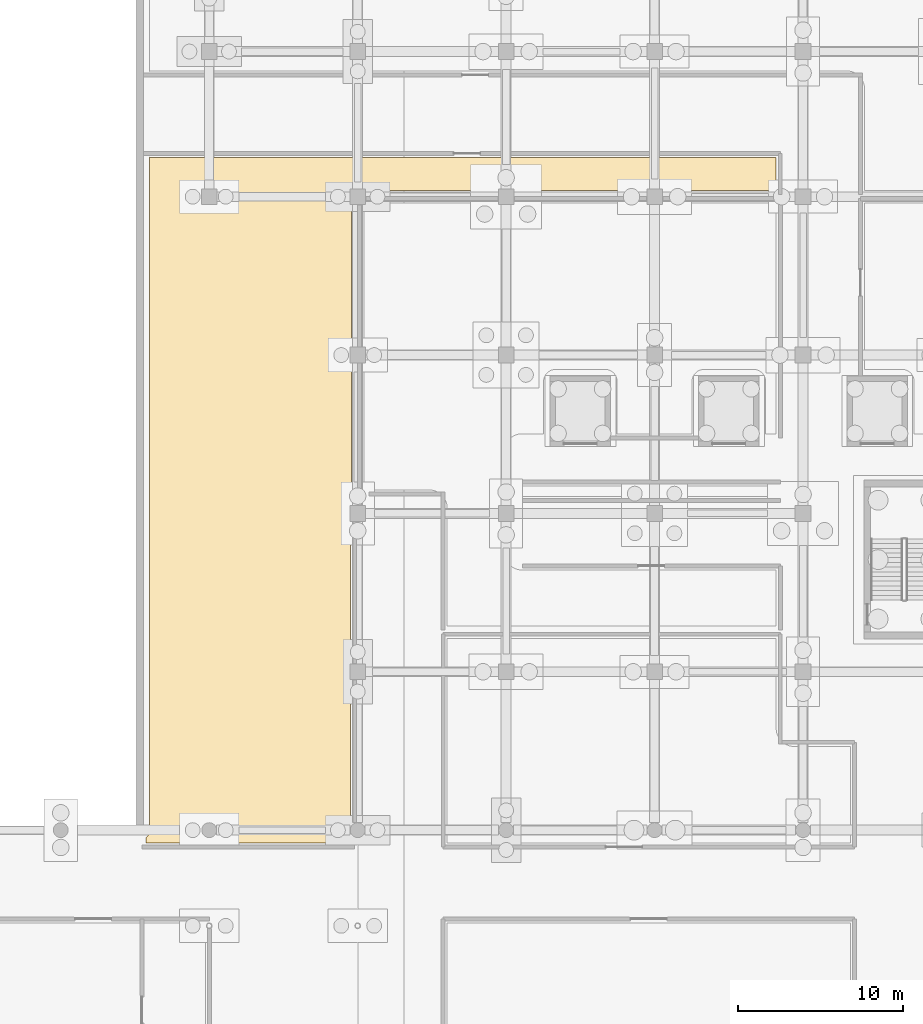
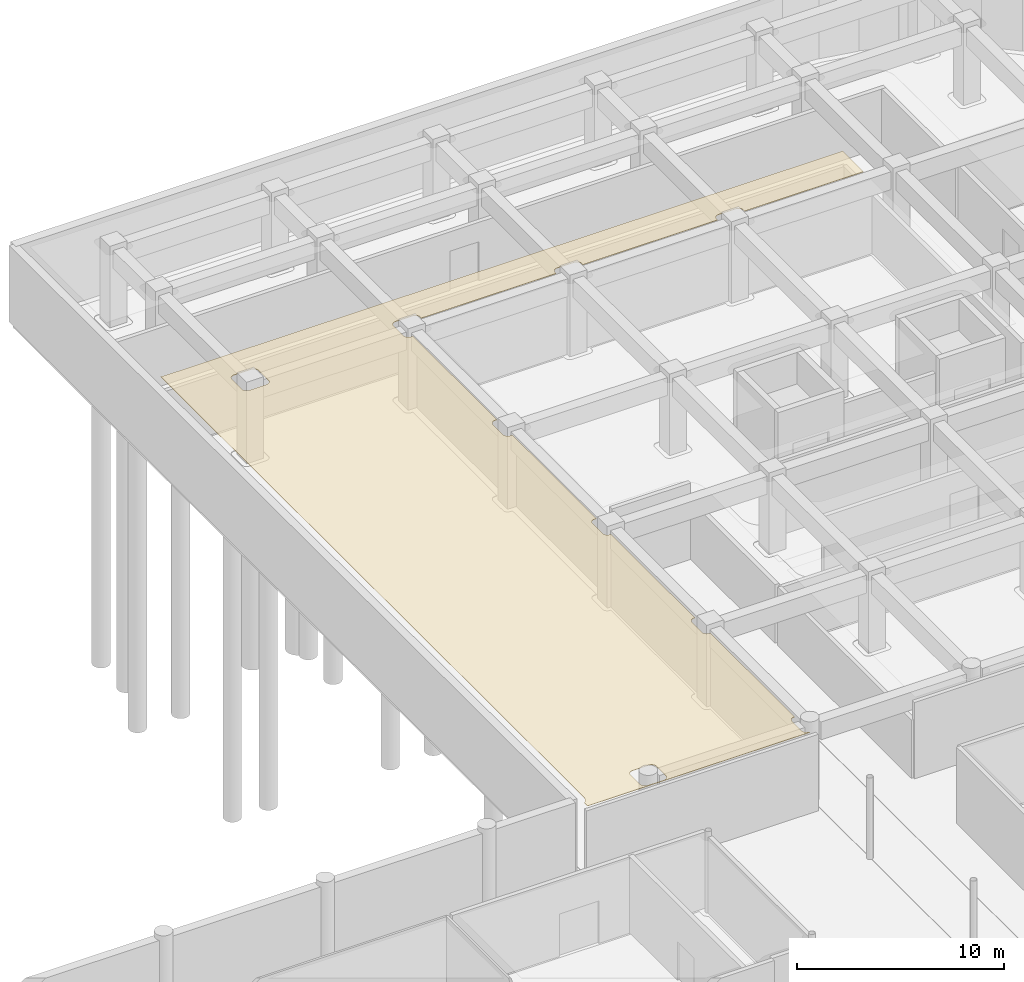
# One storey, part 42 of 47: 1 covering.
"""IFC4 building model written with IfcOpenShell, lengths in metres."""

from ifc_helpers import new_model, si_unit, direction, frame, origin, place, context, subcontext, project, spatial, polyline, outline, extrude, material, layer, layer_set, type_object, element, save


model = new_model("IFC4")

# Units and contexts
model_context = context("Model", 3, precision=1e-05, world=origin(), true_north=direction((0.0, 1.0)))
body_context = subcontext(model_context, "Body", "Model", "MODEL_VIEW")
ifc_project = project(units=[si_unit("LENGTHUNIT", "METRE"), si_unit("AREAUNIT", "SQUARE_METRE"), si_unit("VOLUMEUNIT", "CUBIC_METRE"), si_unit("PLANEANGLEUNIT", "RADIAN"), si_unit("MASSUNIT", "GRAM", prefix="KILO")], contexts=[model_context])

# Site, building, storey
site_placement = place(None, origin())
site = spatial("IfcSite", under=ifc_project, at=site_placement, CompositionType="ELEMENT")
building_placement = place(site_placement, origin())
building = spatial("IfcBuilding", under=site, at=building_placement, Name="Cendralis Terraced Arcade", CompositionType="ELEMENT")
storey_placement = place(building_placement, frame((0.0, 0.0, -4.800048828125)))
storey = spatial("IfcBuildingStorey", under=building, at=storey_placement, Name="B1", CompositionType="ELEMENT", Elevation=-4.800048828125)

# Covering
ifc_material = material(Name="Gypsum plasterboard acoustic partition")
ifc_layer = layer(ifc_material, 0.02490234375, Name="COV-CEIL-ACOU-25")
ifc_layer_set = layer_set([ifc_layer], Name="Gypsum plasterboard acoustic partition")
covering_type = type_object("IfcCoveringType", Name="COV-CEIL-ACOU-25", PredefinedType="CEILING", material=ifc_layer_set)
covering_placement = place(storey_placement, frame((0.0, 0.0, 4.47509765625)))
element("IfcCovering", 1, at=covering_placement, inside=storey, type_object=covering_type, Name="Acoustic Soffit Ceiling B1-022", PredefinedType="CEILING", context=body_context, shape_type="SweptSolid", body=[
    extrude(outline(polyline([(108.37890625, 59.5478515625), (108.387939453125, 59.555908203125), (108.404052734375, 59.5703125), (108.412841796875, 59.57861328125), (108.42138671875, 59.587158203125), (108.4296875, 59.595947265625), (108.444091796875, 59.612060546875), (108.4521484375, 59.62109375), (108.459716796875, 59.63037109375), (108.46728515625, 59.639892578125), (108.47998046875, 59.657470703125), (108.4873046875, 59.66748046875), (108.49365234375, 59.67724609375), (108.500244140625, 59.6875), (108.511474609375, 59.7060546875), (108.517333984375, 59.716796875), (108.52294921875, 59.72705078125), (108.528564453125, 59.738037109375), (108.53759765625, 59.757568359375), (108.542724609375, 59.768798828125), (108.547119140625, 59.77978515625), (108.551513671875, 59.791259765625), (108.558837890625, 59.8115234375), (108.562744140625, 59.822998046875), (108.566162109375, 59.83447265625), (108.5693359375, 59.84619140625), (108.57470703125, 59.8671875), (108.577392578125, 59.879150390625), (108.57958984375, 59.890625), (108.581787109375, 59.90283203125), (108.5849609375, 59.924072265625), (108.58642578125, 59.936279296875), (108.587646484375, 59.947998046875), (108.58837890625, 59.960205078125), (108.589599609375, 59.981689453125), (108.58984375, 59.988037109375), (108.58984375, 59.993896484375), (108.590087890625, 60.0), (108.590087890625, 100.799072265625), (108.60009765625, 100.796630859375), (108.60595703125, 100.795166015625), (108.61181640625, 100.7939453125), (108.61767578125, 100.79248046875), (108.62939453125, 100.790283203125), (108.63525390625, 100.789306640625), (108.64111328125, 100.7880859375), (108.647216796875, 100.787109375), (108.707275390625, 100.7783203125), (108.71337890625, 100.777587890625), (108.71923828125, 100.776611328125), (108.725341796875, 100.776123046875), (108.737060546875, 100.77490234375), (108.7431640625, 100.7744140625), (108.7490234375, 100.77392578125), (108.755126953125, 100.773681640625), (108.81591796875, 100.7705078125), (108.819091796875, 100.7705078125), (108.822021484375, 100.7705078125), (108.824951171875, 100.770263671875), (108.830810546875, 100.77001953125), (108.833984375, 100.77001953125), (108.8369140625, 100.77001953125), (108.840087890625, 100.77001953125), (146.570068359375, 100.77001953125), (146.570068359375, 98.77001953125), (139.945068359375, 98.77001953125), (139.945068359375, 98.875), (139.944580078125, 98.88720703125), (139.944580078125, 98.88916015625), (139.942138671875, 98.91357421875), (139.94189453125, 98.91552734375), (139.93701171875, 98.939697265625), (139.9365234375, 98.941650390625), (139.929443359375, 98.965087890625), (139.928955078125, 98.966796875), (139.91943359375, 98.989501953125), (139.918701171875, 98.9912109375), (139.906982421875, 99.012939453125), (139.906005859375, 99.0146484375), (139.892333984375, 99.034912109375), (139.891357421875, 99.03662109375), (139.875732421875, 99.0556640625), (139.87451171875, 99.056884765625), (139.85693359375, 99.074462890625), (139.855712890625, 99.07568359375), (139.836669921875, 99.09130859375), (139.8349609375, 99.09228515625), (139.814697265625, 99.106201171875), (139.81298828125, 99.107177734375), (139.791259765625, 99.11865234375), (139.78955078125, 99.119384765625), (139.766845703125, 99.12890625), (139.764892578125, 99.12939453125), (139.74169921875, 99.13671875), (139.739501953125, 99.13720703125), (139.715576171875, 99.141845703125), (139.713623046875, 99.14208984375), (139.689208984375, 99.14453125), (139.687255859375, 99.144775390625), (139.675048828125, 99.14501953125), (138.72509765625, 99.14501953125), (138.712646484375, 99.144775390625), (138.710693359375, 99.14453125), (138.686279296875, 99.14208984375), (138.684326171875, 99.141845703125), (138.660400390625, 99.13720703125), (138.658447265625, 99.13671875), (138.635009765625, 99.12939453125), (138.633056640625, 99.12890625), (138.610595703125, 99.119384765625), (138.608642578125, 99.11865234375), (138.5869140625, 99.107177734375), (138.58544921875, 99.106201171875), (138.56494140625, 99.09228515625), (138.5634765625, 99.09130859375), (138.54443359375, 99.07568359375), (138.54296875, 99.074462890625), (138.525634765625, 99.056884765625), (138.5244140625, 99.0556640625), (138.5087890625, 99.03662109375), (138.507568359375, 99.034912109375), (138.493896484375, 99.0146484375), (138.492919921875, 99.012939453125), (138.4814453125, 98.9912109375), (138.48046875, 98.989501953125), (138.47119140625, 98.966796875), (138.470458984375, 98.965087890625), (138.46337890625, 98.941650390625), (138.462890625, 98.939697265625), (138.4580078125, 98.91552734375), (138.457763671875, 98.91357421875), (138.455322265625, 98.88916015625), (138.455322265625, 98.88720703125), (138.455078125, 98.875), (138.455078125, 98.77001953125), (130.945068359375, 98.77001953125), (130.945068359375, 98.875), (130.944580078125, 98.88720703125), (130.944580078125, 98.88916015625), (130.942138671875, 98.91357421875), (130.94189453125, 98.91552734375), (130.93701171875, 98.939697265625), (130.9365234375, 98.941650390625), (130.929443359375, 98.965087890625), (130.928955078125, 98.966796875), (130.91943359375, 98.989501953125), (130.918701171875, 98.9912109375), (130.906982421875, 99.012939453125), (130.906005859375, 99.0146484375), (130.892333984375, 99.034912109375), (130.891357421875, 99.03662109375), (130.875732421875, 99.0556640625), (130.87451171875, 99.056884765625), (130.85693359375, 99.074462890625), (130.855712890625, 99.07568359375), (130.836669921875, 99.09130859375), (130.8349609375, 99.09228515625), (130.814697265625, 99.106201171875), (130.81298828125, 99.107177734375), (130.791259765625, 99.11865234375), (130.78955078125, 99.119384765625), (130.766845703125, 99.12890625), (130.764892578125, 99.12939453125), (130.74169921875, 99.13671875), (130.739501953125, 99.13720703125), (130.715576171875, 99.141845703125), (130.713623046875, 99.14208984375), (130.689208984375, 99.14453125), (130.687255859375, 99.144775390625), (130.675048828125, 99.14501953125), (129.72509765625, 99.14501953125), (129.712646484375, 99.144775390625), (129.710693359375, 99.14453125), (129.686279296875, 99.14208984375), (129.684326171875, 99.141845703125), (129.660400390625, 99.13720703125), (129.658447265625, 99.13671875), (129.635009765625, 99.12939453125), (129.633056640625, 99.12890625), (129.610595703125, 99.119384765625), (129.608642578125, 99.11865234375), (129.5869140625, 99.107177734375), (129.58544921875, 99.106201171875), (129.56494140625, 99.09228515625), (129.5634765625, 99.09130859375), (129.54443359375, 99.07568359375), (129.54296875, 99.074462890625), (129.525634765625, 99.056884765625), (129.5244140625, 99.0556640625), (129.5087890625, 99.03662109375), (129.507568359375, 99.034912109375), (129.493896484375, 99.0146484375), (129.492919921875, 99.012939453125), (129.4814453125, 98.9912109375), (129.48046875, 98.989501953125), (129.47119140625, 98.966796875), (129.470458984375, 98.965087890625), (129.46337890625, 98.941650390625), (129.462890625, 98.939697265625), (129.4580078125, 98.91552734375), (129.457763671875, 98.91357421875), (129.455322265625, 98.88916015625), (129.455322265625, 98.88720703125), (129.455078125, 98.875), (129.455078125, 98.77001953125), (121.945068359375, 98.77001953125), (121.945068359375, 98.875), (121.944580078125, 98.88720703125), (121.944580078125, 98.88916015625), (121.942138671875, 98.91357421875), (121.94189453125, 98.91552734375), (121.93701171875, 98.939697265625), (121.9365234375, 98.941650390625), (121.929443359375, 98.965087890625), (121.928955078125, 98.966796875), (121.91943359375, 98.989501953125), (121.918701171875, 98.9912109375), (121.906982421875, 99.012939453125), (121.906005859375, 99.0146484375), (121.892333984375, 99.034912109375), (121.891357421875, 99.03662109375), (121.875732421875, 99.0556640625), (121.87451171875, 99.056884765625), (121.85693359375, 99.074462890625), (121.855712890625, 99.07568359375), (121.836669921875, 99.09130859375), (121.8349609375, 99.09228515625), (121.814697265625, 99.106201171875), (121.81298828125, 99.107177734375), (121.791259765625, 99.11865234375), (121.78955078125, 99.119384765625), (121.766845703125, 99.12890625), (121.764892578125, 99.12939453125), (121.74169921875, 99.13671875), (121.739501953125, 99.13720703125), (121.715576171875, 99.141845703125), (121.713623046875, 99.14208984375), (121.689208984375, 99.14453125), (121.687255859375, 99.144775390625), (121.675048828125, 99.14501953125), (120.72509765625, 99.14501953125), (120.712646484375, 99.144775390625), (120.710693359375, 99.14453125), (120.686279296875, 99.14208984375), (120.684326171875, 99.141845703125), (120.660400390625, 99.13720703125), (120.658447265625, 99.13671875), (120.635009765625, 99.12939453125), (120.633056640625, 99.12890625), (120.610595703125, 99.119384765625), (120.608642578125, 99.11865234375), (120.5869140625, 99.107177734375), (120.58544921875, 99.106201171875), (120.56494140625, 99.09228515625), (120.5634765625, 99.09130859375), (120.54443359375, 99.07568359375), (120.54296875, 99.074462890625), (120.525634765625, 99.056884765625), (120.5244140625, 99.0556640625), (120.5087890625, 99.03662109375), (120.507568359375, 99.034912109375), (120.493896484375, 99.0146484375), (120.492919921875, 99.012939453125), (120.4814453125, 98.9912109375), (120.48046875, 98.989501953125), (120.47119140625, 98.966796875), (120.470458984375, 98.965087890625), (120.46337890625, 98.941650390625), (120.462890625, 98.939697265625), (120.4580078125, 98.91552734375), (120.457763671875, 98.91357421875), (120.455322265625, 98.88916015625), (120.455322265625, 98.88720703125), (120.455078125, 98.875), (120.455078125, 97.925048828125), (120.455322265625, 97.91259765625), (120.455322265625, 97.910888671875), (120.457763671875, 97.886474609375), (120.4580078125, 97.884521484375), (120.462890625, 97.8603515625), (120.46337890625, 97.8583984375), (120.470458984375, 97.8349609375), (120.47119140625, 97.8330078125), (120.48046875, 97.810546875), (120.4814453125, 97.80859375), (120.492919921875, 97.787109375), (120.493896484375, 97.785400390625), (120.507568359375, 97.764892578125), (120.5087890625, 97.763427734375), (120.5244140625, 97.744384765625), (120.525634765625, 97.742919921875), (120.54296875, 97.7255859375), (120.54443359375, 97.724365234375), (120.5634765625, 97.708740234375), (120.56494140625, 97.70751953125), (120.58544921875, 97.69384765625), (120.5869140625, 97.69287109375), (120.608642578125, 97.681396484375), (120.610595703125, 97.680419921875), (120.633056640625, 97.671142578125), (120.635009765625, 97.67041015625), (120.658447265625, 97.663330078125), (120.660400390625, 97.662841796875), (120.684326171875, 97.658203125), (120.686279296875, 97.65771484375), (120.710693359375, 97.655517578125), (120.712646484375, 97.6552734375), (120.72509765625, 97.655029296875), (120.830078125, 97.655029296875), (120.830078125, 89.544921875), (120.72509765625, 89.544921875), (120.712646484375, 89.544677734375), (120.710693359375, 89.544677734375), (120.686279296875, 89.542236328125), (120.684326171875, 89.5419921875), (120.660400390625, 89.537109375), (120.658447265625, 89.53662109375), (120.635009765625, 89.529541015625), (120.633056640625, 89.52880859375), (120.610595703125, 89.51953125), (120.608642578125, 89.5185546875), (120.5869140625, 89.507080078125), (120.58544921875, 89.506103515625), (120.56494140625, 89.492431640625), (120.5634765625, 89.4912109375), (120.54443359375, 89.4755859375), (120.54296875, 89.474365234375), (120.525634765625, 89.45703125), (120.5244140625, 89.45556640625), (120.5087890625, 89.4365234375), (120.507568359375, 89.43505859375), (120.493896484375, 89.41455078125), (120.492919921875, 89.4130859375), (120.4814453125, 89.391357421875), (120.48046875, 89.389404296875), (120.47119140625, 89.366943359375), (120.470458984375, 89.364990234375), (120.46337890625, 89.341552734375), (120.462890625, 89.339599609375), (120.4580078125, 89.315673828125), (120.457763671875, 89.313720703125), (120.455322265625, 89.289306640625), (120.455322265625, 89.287353515625), (120.455078125, 89.27490234375), (120.455078125, 88.324951171875), (120.455322265625, 88.312744140625), (120.455322265625, 88.310791015625), (120.457763671875, 88.286376953125), (120.4580078125, 88.284423828125), (120.462890625, 88.260498046875), (120.46337890625, 88.25830078125), (120.470458984375, 88.235107421875), (120.47119140625, 88.233154296875), (120.48046875, 88.21044921875), (120.4814453125, 88.208740234375), (120.492919921875, 88.18701171875), (120.493896484375, 88.185302734375), (120.507568359375, 88.1650390625), (120.5087890625, 88.163330078125), (120.5244140625, 88.144287109375), (120.525634765625, 88.14306640625), (120.54296875, 88.12548828125), (120.54443359375, 88.124267578125), (120.5634765625, 88.108642578125), (120.56494140625, 88.107666015625), (120.58544921875, 88.093994140625), (120.5869140625, 88.093017578125), (120.608642578125, 88.081298828125), (120.610595703125, 88.08056640625), (120.633056640625, 88.071044921875), (120.635009765625, 88.070556640625), (120.658447265625, 88.0634765625), (120.660400390625, 88.06298828125), (120.684326171875, 88.05810546875), (120.686279296875, 88.057861328125), (120.710693359375, 88.055419921875), (120.712646484375, 88.055419921875), (120.72509765625, 88.054931640625), (120.830078125, 88.054931640625), (120.830078125, 79.945068359375), (120.72509765625, 79.945068359375), (120.712646484375, 79.944580078125), (120.710693359375, 79.944580078125), (120.686279296875, 79.942138671875), (120.684326171875, 79.94189453125), (120.660400390625, 79.93701171875), (120.658447265625, 79.9365234375), (120.635009765625, 79.929443359375), (120.633056640625, 79.928955078125), (120.610595703125, 79.91943359375), (120.608642578125, 79.918701171875), (120.5869140625, 79.906982421875), (120.58544921875, 79.906005859375), (120.56494140625, 79.892333984375), (120.5634765625, 79.891357421875), (120.54443359375, 79.875732421875), (120.54296875, 79.87451171875), (120.525634765625, 79.85693359375), (120.5244140625, 79.855712890625), (120.5087890625, 79.836669921875), (120.507568359375, 79.8349609375), (120.493896484375, 79.814697265625), (120.492919921875, 79.81298828125), (120.4814453125, 79.791259765625), (120.48046875, 79.78955078125), (120.47119140625, 79.766845703125), (120.470458984375, 79.764892578125), (120.46337890625, 79.74169921875), (120.462890625, 79.739501953125), (120.4580078125, 79.715576171875), (120.457763671875, 79.713623046875), (120.455322265625, 79.689208984375), (120.455322265625, 79.687255859375), (120.455078125, 79.675048828125), (120.455078125, 78.72509765625), (120.455322265625, 78.712646484375), (120.455322265625, 78.710693359375), (120.457763671875, 78.686279296875), (120.4580078125, 78.684326171875), (120.462890625, 78.660400390625), (120.46337890625, 78.658447265625), (120.470458984375, 78.635009765625), (120.47119140625, 78.633056640625), (120.48046875, 78.610595703125), (120.4814453125, 78.608642578125), (120.492919921875, 78.5869140625), (120.493896484375, 78.58544921875), (120.507568359375, 78.56494140625), (120.5087890625, 78.5634765625), (120.5244140625, 78.54443359375), (120.525634765625, 78.54296875), (120.54296875, 78.525634765625), (120.54443359375, 78.5244140625), (120.5634765625, 78.5087890625), (120.56494140625, 78.507568359375), (120.58544921875, 78.493896484375), (120.5869140625, 78.492919921875), (120.608642578125, 78.4814453125), (120.610595703125, 78.48046875), (120.633056640625, 78.47119140625), (120.635009765625, 78.470458984375), (120.658447265625, 78.46337890625), (120.660400390625, 78.462890625), (120.684326171875, 78.4580078125), (120.686279296875, 78.457763671875), (120.710693359375, 78.455322265625), (120.712646484375, 78.455322265625), (120.72509765625, 78.455078125), (120.77001953125, 78.455078125), (120.77001953125, 70.344970703125), (120.72509765625, 70.344970703125), (120.712646484375, 70.3447265625), (120.710693359375, 70.344482421875), (120.686279296875, 70.34228515625), (120.684326171875, 70.341796875), (120.660400390625, 70.337158203125), (120.658447265625, 70.336669921875), (120.635009765625, 70.32958984375), (120.633056640625, 70.328857421875), (120.610595703125, 70.319580078125), (120.608642578125, 70.318603515625), (120.5869140625, 70.30712890625), (120.58544921875, 70.30615234375), (120.56494140625, 70.29248046875), (120.5634765625, 70.291259765625), (120.54443359375, 70.275634765625), (120.54296875, 70.2744140625), (120.525634765625, 70.257080078125), (120.5244140625, 70.255615234375), (120.5087890625, 70.236572265625), (120.507568359375, 70.235107421875), (120.493896484375, 70.214599609375), (120.492919921875, 70.212890625), (120.4814453125, 70.19140625), (120.48046875, 70.189453125), (120.47119140625, 70.1669921875), (120.470458984375, 70.1650390625), (120.46337890625, 70.1416015625), (120.462890625, 70.1396484375), (120.4580078125, 70.115478515625), (120.457763671875, 70.113525390625), (120.455322265625, 70.089111328125), (120.455322265625, 70.08740234375), (120.455078125, 70.074951171875), (120.455078125, 69.125), (120.455322265625, 69.11279296875), (120.455322265625, 69.11083984375), (120.457763671875, 69.08642578125), (120.4580078125, 69.08447265625), (120.462890625, 69.060302734375), (120.46337890625, 69.058349609375), (120.470458984375, 69.034912109375), (120.47119140625, 69.033203125), (120.48046875, 69.010498046875), (120.4814453125, 69.0087890625), (120.492919921875, 68.987060546875), (120.493896484375, 68.9853515625), (120.507568359375, 68.965087890625), (120.5087890625, 68.96337890625), (120.5244140625, 68.9443359375), (120.525634765625, 68.943115234375), (120.54296875, 68.925537109375), (120.54443359375, 68.92431640625), (120.5634765625, 68.90869140625), (120.56494140625, 68.90771484375), (120.58544921875, 68.893798828125), (120.5869140625, 68.892822265625), (120.608642578125, 68.88134765625), (120.610595703125, 68.880615234375), (120.633056640625, 68.87109375), (120.635009765625, 68.87060546875), (120.658447265625, 68.86328125), (120.660400390625, 68.86279296875), (120.684326171875, 68.858154296875), (120.686279296875, 68.85791015625), (120.710693359375, 68.85546875), (120.712646484375, 68.855224609375), (120.72509765625, 68.85498046875), (120.77001953125, 68.85498046875), (120.77001953125, 60.719970703125), (120.75, 60.719970703125), (120.73779296875, 60.7197265625), (120.73583984375, 60.719482421875), (120.71142578125, 60.71728515625), (120.70947265625, 60.716796875), (120.685302734375, 60.712158203125), (120.683349609375, 60.711669921875), (120.659912109375, 60.70458984375), (120.658203125, 60.703857421875), (120.635498046875, 60.694580078125), (120.6337890625, 60.693603515625), (120.612060546875, 60.68212890625), (120.6103515625, 60.68115234375), (120.590087890625, 60.66748046875), (120.58837890625, 60.666259765625), (120.5693359375, 60.650634765625), (120.568115234375, 60.6494140625), (120.550537109375, 60.632080078125), (120.54931640625, 60.630615234375), (120.53369140625, 60.611572265625), (120.53271484375, 60.610107421875), (120.518798828125, 60.589599609375), (120.517822265625, 60.587890625), (120.50634765625, 60.56640625), (120.505615234375, 60.564453125), (120.49609375, 60.5419921875), (120.49560546875, 60.5400390625), (120.48828125, 60.5166015625), (120.48779296875, 60.5146484375), (120.483154296875, 60.490478515625), (120.48291015625, 60.488525390625), (120.48046875, 60.464111328125), (120.480224609375, 60.46240234375), (120.47998046875, 60.449951171875), (120.47998046875, 59.550048828125), (120.480224609375, 59.53759765625), (120.48046875, 59.535888671875), (120.48291015625, 59.511474609375), (120.483154296875, 59.509521484375), (120.48779296875, 59.4853515625), (120.48828125, 59.4833984375), (120.49560546875, 59.4599609375), (120.49609375, 59.4580078125), (120.505615234375, 59.435546875), (120.50634765625, 59.43359375), (120.517822265625, 59.412109375), (120.518798828125, 59.410400390625), (120.53271484375, 59.389892578125), (120.53369140625, 59.388427734375), (120.54931640625, 59.369384765625), (120.550537109375, 59.367919921875), (120.568115234375, 59.3505859375), (120.5693359375, 59.349365234375), (120.58837890625, 59.333740234375), (120.590087890625, 59.33251953125), (120.6103515625, 59.31884765625), (120.612060546875, 59.31787109375), (120.6337890625, 59.306396484375), (120.635498046875, 59.305419921875), (120.658203125, 59.296142578125), (120.659912109375, 59.29541015625), (120.683349609375, 59.288330078125), (120.685302734375, 59.287841796875), (120.70947265625, 59.283203125), (120.71142578125, 59.28271484375), (120.73583984375, 59.280517578125), (120.73779296875, 59.2802734375), (120.75, 59.280029296875), (120.77001953125, 59.280029296875), (120.77001953125, 59.22998046875), (108.3701171875, 59.22998046875), (108.3701171875, 59.54052734375), (108.37890625, 59.5478515625)]), holes=[polyline([(111.608642578125, 97.681396484375), (111.610595703125, 97.680419921875), (111.633056640625, 97.671142578125), (111.635009765625, 97.67041015625), (111.658447265625, 97.663330078125), (111.660400390625, 97.662841796875), (111.684326171875, 97.658203125), (111.686279296875, 97.65771484375), (111.710693359375, 97.655517578125), (111.712646484375, 97.6552734375), (111.72509765625, 97.655029296875), (112.675048828125, 97.655029296875), (112.687255859375, 97.6552734375), (112.689208984375, 97.655517578125), (112.713623046875, 97.65771484375), (112.715576171875, 97.658203125), (112.739501953125, 97.662841796875), (112.74169921875, 97.663330078125), (112.764892578125, 97.67041015625), (112.766845703125, 97.671142578125), (112.78955078125, 97.680419921875), (112.791259765625, 97.681396484375), (112.81298828125, 97.69287109375), (112.814697265625, 97.69384765625), (112.8349609375, 97.70751953125), (112.836669921875, 97.708740234375), (112.855712890625, 97.724365234375), (112.85693359375, 97.7255859375), (112.87451171875, 97.742919921875), (112.875732421875, 97.744384765625), (112.891357421875, 97.763427734375), (112.892333984375, 97.764892578125), (112.906005859375, 97.785400390625), (112.906982421875, 97.787109375), (112.918701171875, 97.80859375), (112.91943359375, 97.810546875), (112.928955078125, 97.8330078125), (112.929443359375, 97.8349609375), (112.9365234375, 97.8583984375), (112.93701171875, 97.8603515625), (112.94189453125, 97.884521484375), (112.942138671875, 97.886474609375), (112.944580078125, 97.910888671875), (112.944580078125, 97.91259765625), (112.945068359375, 97.925048828125), (112.945068359375, 98.875), (112.944580078125, 98.88720703125), (112.944580078125, 98.88916015625), (112.942138671875, 98.91357421875), (112.94189453125, 98.91552734375), (112.93701171875, 98.939697265625), (112.9365234375, 98.941650390625), (112.929443359375, 98.965087890625), (112.928955078125, 98.966796875), (112.91943359375, 98.989501953125), (112.918701171875, 98.9912109375), (112.906982421875, 99.012939453125), (112.906005859375, 99.0146484375), (112.892333984375, 99.034912109375), (112.891357421875, 99.03662109375), (112.875732421875, 99.0556640625), (112.87451171875, 99.056884765625), (112.85693359375, 99.074462890625), (112.855712890625, 99.07568359375), (112.836669921875, 99.09130859375), (112.8349609375, 99.09228515625), (112.814697265625, 99.106201171875), (112.81298828125, 99.107177734375), (112.791259765625, 99.11865234375), (112.78955078125, 99.119384765625), (112.766845703125, 99.12890625), (112.764892578125, 99.12939453125), (112.74169921875, 99.13671875), (112.739501953125, 99.13720703125), (112.715576171875, 99.141845703125), (112.713623046875, 99.14208984375), (112.689208984375, 99.14453125), (112.687255859375, 99.144775390625), (112.675048828125, 99.14501953125), (111.72509765625, 99.14501953125), (111.712646484375, 99.144775390625), (111.710693359375, 99.14453125), (111.686279296875, 99.14208984375), (111.684326171875, 99.141845703125), (111.660400390625, 99.13720703125), (111.658447265625, 99.13671875), (111.635009765625, 99.12939453125), (111.633056640625, 99.12890625), (111.610595703125, 99.119384765625), (111.608642578125, 99.11865234375), (111.5869140625, 99.107177734375), (111.58544921875, 99.106201171875), (111.56494140625, 99.09228515625), (111.5634765625, 99.09130859375), (111.54443359375, 99.07568359375), (111.54296875, 99.074462890625), (111.525634765625, 99.056884765625), (111.5244140625, 99.0556640625), (111.5087890625, 99.03662109375), (111.507568359375, 99.034912109375), (111.493896484375, 99.0146484375), (111.492919921875, 99.012939453125), (111.4814453125, 98.9912109375), (111.48046875, 98.989501953125), (111.47119140625, 98.966796875), (111.470458984375, 98.965087890625), (111.46337890625, 98.941650390625), (111.462890625, 98.939697265625), (111.4580078125, 98.91552734375), (111.457763671875, 98.91357421875), (111.455322265625, 98.88916015625), (111.455322265625, 98.88720703125), (111.455078125, 98.875), (111.455078125, 97.925048828125), (111.455322265625, 97.91259765625), (111.455322265625, 97.910888671875), (111.457763671875, 97.886474609375), (111.4580078125, 97.884521484375), (111.462890625, 97.8603515625), (111.46337890625, 97.8583984375), (111.470458984375, 97.8349609375), (111.47119140625, 97.8330078125), (111.48046875, 97.810546875), (111.4814453125, 97.80859375), (111.492919921875, 97.787109375), (111.493896484375, 97.785400390625), (111.507568359375, 97.764892578125), (111.5087890625, 97.763427734375), (111.5244140625, 97.744384765625), (111.525634765625, 97.742919921875), (111.54296875, 97.7255859375), (111.54443359375, 97.724365234375), (111.5634765625, 97.708740234375), (111.56494140625, 97.70751953125), (111.58544921875, 97.69384765625), (111.5869140625, 97.69287109375), (111.608642578125, 97.681396484375)]), polyline([(111.6337890625, 59.306396484375), (111.635498046875, 59.305419921875), (111.658203125, 59.296142578125), (111.659912109375, 59.29541015625), (111.683349609375, 59.288330078125), (111.685302734375, 59.287841796875), (111.70947265625, 59.283203125), (111.71142578125, 59.28271484375), (111.73583984375, 59.280517578125), (111.73779296875, 59.2802734375), (111.75, 59.280029296875), (112.64990234375, 59.280029296875), (112.662353515625, 59.2802734375), (112.664306640625, 59.280517578125), (112.688720703125, 59.28271484375), (112.690673828125, 59.283203125), (112.714599609375, 59.287841796875), (112.716552734375, 59.288330078125), (112.739990234375, 59.29541015625), (112.741943359375, 59.296142578125), (112.764404296875, 59.305419921875), (112.766357421875, 59.306396484375), (112.7880859375, 59.31787109375), (112.78955078125, 59.31884765625), (112.81005859375, 59.33251953125), (112.8115234375, 59.333740234375), (112.83056640625, 59.349365234375), (112.83203125, 59.3505859375), (112.849365234375, 59.367919921875), (112.8505859375, 59.369384765625), (112.8662109375, 59.388427734375), (112.867431640625, 59.389892578125), (112.881103515625, 59.410400390625), (112.882080078125, 59.412109375), (112.8935546875, 59.43359375), (112.89453125, 59.435546875), (112.90380859375, 59.4580078125), (112.904541015625, 59.4599609375), (112.91162109375, 59.4833984375), (112.912109375, 59.4853515625), (112.9169921875, 59.509521484375), (112.917236328125, 59.511474609375), (112.919677734375, 59.535888671875), (112.919677734375, 59.53759765625), (112.919921875, 59.550048828125), (112.919921875, 60.449951171875), (112.919677734375, 60.46240234375), (112.919677734375, 60.464111328125), (112.917236328125, 60.488525390625), (112.9169921875, 60.490478515625), (112.912109375, 60.5146484375), (112.91162109375, 60.5166015625), (112.904541015625, 60.5400390625), (112.90380859375, 60.5419921875), (112.89453125, 60.564453125), (112.8935546875, 60.56640625), (112.882080078125, 60.587890625), (112.881103515625, 60.589599609375), (112.867431640625, 60.610107421875), (112.8662109375, 60.611572265625), (112.8505859375, 60.630615234375), (112.849365234375, 60.632080078125), (112.83203125, 60.6494140625), (112.83056640625, 60.650634765625), (112.8115234375, 60.666259765625), (112.81005859375, 60.66748046875), (112.78955078125, 60.68115234375), (112.7880859375, 60.68212890625), (112.766357421875, 60.693603515625), (112.764404296875, 60.694580078125), (112.741943359375, 60.703857421875), (112.739990234375, 60.70458984375), (112.716552734375, 60.711669921875), (112.714599609375, 60.712158203125), (112.690673828125, 60.716796875), (112.688720703125, 60.71728515625), (112.664306640625, 60.719482421875), (112.662353515625, 60.7197265625), (112.64990234375, 60.719970703125), (111.75, 60.719970703125), (111.73779296875, 60.7197265625), (111.73583984375, 60.719482421875), (111.71142578125, 60.71728515625), (111.70947265625, 60.716796875), (111.685302734375, 60.712158203125), (111.683349609375, 60.711669921875), (111.659912109375, 60.70458984375), (111.658203125, 60.703857421875), (111.635498046875, 60.694580078125), (111.6337890625, 60.693603515625), (111.612060546875, 60.68212890625), (111.6103515625, 60.68115234375), (111.590087890625, 60.66748046875), (111.58837890625, 60.666259765625), (111.5693359375, 60.650634765625), (111.568115234375, 60.6494140625), (111.550537109375, 60.632080078125), (111.54931640625, 60.630615234375), (111.53369140625, 60.611572265625), (111.53271484375, 60.610107421875), (111.518798828125, 60.589599609375), (111.517822265625, 60.587890625), (111.50634765625, 60.56640625), (111.505615234375, 60.564453125), (111.49609375, 60.5419921875), (111.49560546875, 60.5400390625), (111.48828125, 60.5166015625), (111.48779296875, 60.5146484375), (111.483154296875, 60.490478515625), (111.48291015625, 60.488525390625), (111.48046875, 60.464111328125), (111.480224609375, 60.46240234375), (111.47998046875, 60.449951171875), (111.47998046875, 59.550048828125), (111.480224609375, 59.53759765625), (111.48046875, 59.535888671875), (111.48291015625, 59.511474609375), (111.483154296875, 59.509521484375), (111.48779296875, 59.4853515625), (111.48828125, 59.4833984375), (111.49560546875, 59.4599609375), (111.49609375, 59.4580078125), (111.505615234375, 59.435546875), (111.50634765625, 59.43359375), (111.517822265625, 59.412109375), (111.518798828125, 59.410400390625), (111.53271484375, 59.389892578125), (111.53369140625, 59.388427734375), (111.54931640625, 59.369384765625), (111.550537109375, 59.367919921875), (111.568115234375, 59.3505859375), (111.5693359375, 59.349365234375), (111.58837890625, 59.333740234375), (111.590087890625, 59.33251953125), (111.6103515625, 59.31884765625), (111.612060546875, 59.31787109375), (111.6337890625, 59.306396484375)])]), origin(), (0.0, 0.0, 1.0), 0.02490234375),
])

save(model, "model.ifc")
